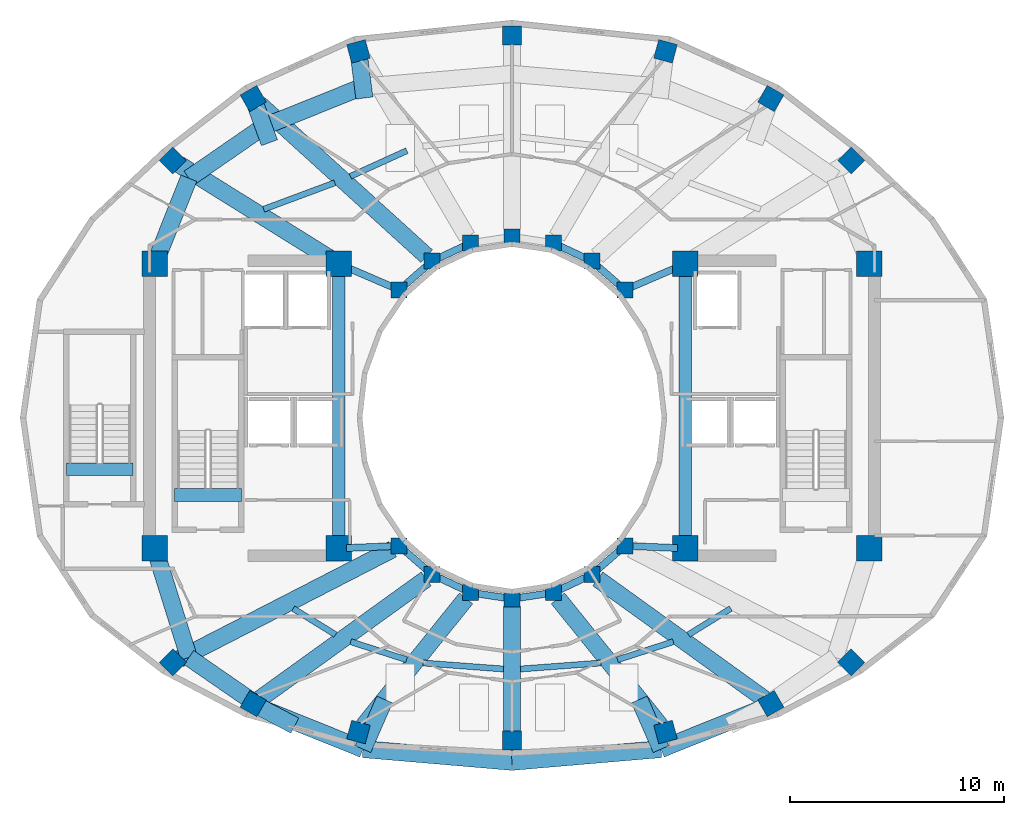
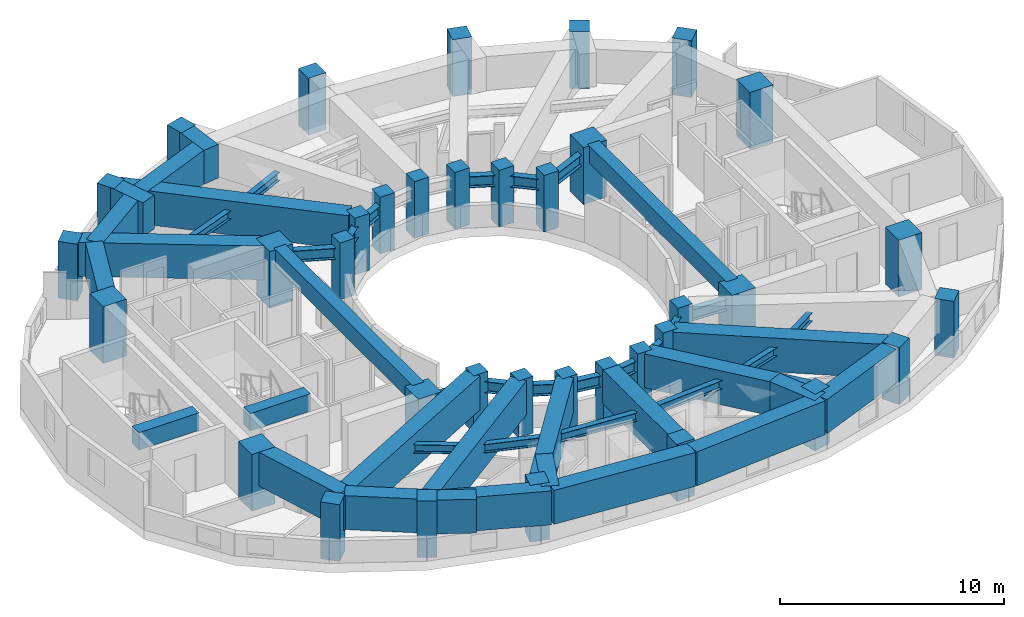
# One storey, part 1 of 9: 48 beams, 36 columns.
"""IFC4 building model written with IfcOpenShell, lengths in metres."""

from ifc_helpers import new_model, si_unit, direction, frame, origin, origin_2d, place, context, subcontext, project, spatial, rectangle, i_section, extrude, material, material_profile, profile_set, type_object, element, save


model = new_model("IFC4")

# Units and contexts
model_context = context("Model", 3, precision=1e-05, world=origin(), true_north=direction((0.0, 1.0)))
body_context = subcontext(model_context, "Body", "Model", "MODEL_VIEW")
ifc_project = project(units=[si_unit("LENGTHUNIT", "METRE"), si_unit("AREAUNIT", "SQUARE_METRE"), si_unit("VOLUMEUNIT", "CUBIC_METRE"), si_unit("PLANEANGLEUNIT", "RADIAN"), si_unit("MASSUNIT", "GRAM", prefix="KILO")], contexts=[model_context])

# Site, building, storey
site_placement = place(None, origin())
site = spatial("IfcSite", under=ifc_project, at=site_placement, CompositionType="ELEMENT")
building_placement = place(site_placement, origin())
building = spatial("IfcBuilding", under=site, at=building_placement, Name="Solvane Sanctuary Tower", CompositionType="ELEMENT")
storey_placement = place(building_placement, frame((0.0, 0.0, 190.10009765625)))
storey = spatial("IfcBuildingStorey", under=building, at=storey_placement, Name="L58", CompositionType="ELEMENT", Elevation=190.10009765625)

# Columns
ifc_material_1 = material(Name="Concrete C50/60", Category="concrete")
ifc_material_profile_1 = material_profile(ifc_material_1, rectangle(XDim=0.75, YDim=0.75, at=origin_2d()), Name="RC750X750")
ifc_profile_set_1 = profile_set([ifc_material_profile_1], Name="Concrete C50/60")
column_type_1 = type_object("IfcColumnType", Name="Column C-RING-Z3 RC750X750", PredefinedType="COLUMN", material=ifc_profile_set_1)
for number, where, z_axis, x_axis, name in (
    (1, (37.27490234375, 28.982177734375, 0.0), (0.0, 0.0, 1.0), (1.0, 0.0, 0.0), "L58 Inner Light-Well Ring Column IC01"),
    (2, (35.72998046875, 30.32666015625, 0.0), (0.0, 0.0, 1.0), (1.0, 0.0, 0.0), "L58 Inner Light-Well Ring Column IC02"),
    (3, (33.930908203125, 31.171630859375, 0.0), (0.0, 0.0, 1.0), (1.0, 0.0, 0.0), "L58 Inner Light-Well Ring Column IC03"),
    (4, (32.0, 31.4599609375, 0.0), (0.0, 0.0, 1.0), (1.0, 0.0, 0.0), "L58 Inner Light-Well Ring Column IC04"),
    (5, (30.069091796875, 31.171630859375, 0.0), (0.0, 0.0, 1.0), (1.0, 0.0, 0.0), "L58 Inner Light-Well Ring Column IC05"),
    (6, (28.27001953125, 30.32666015625, 0.0), (0.0, 0.0, 1.0), (1.0, 0.0, 0.0), "L58 Inner Light-Well Ring Column IC06"),
    (7, (26.72509765625, 28.982177734375, 0.0), (0.0, 0.0, 1.0), (1.0, 0.0, 0.0), "L58 Inner Light-Well Ring Column IC07"),
    (8, (26.72509765625, 17.017822265625, 0.0), (0.0, 0.0, 1.0), (1.0, 0.0, 0.0), "L58 Inner Light-Well Ring Column IC08"),
    (9, (28.27001953125, 15.67333984375, 0.0), (0.0, 0.0, 1.0), (1.0, 0.0, 0.0), "L58 Inner Light-Well Ring Column IC09"),
    (10, (30.069091796875, 14.828369140625, 0.0), (0.0, 0.0, 1.0), (1.0, 0.0, 0.0), "L58 Inner Light-Well Ring Column IC10"),
    (11, (32.0, 14.5400390625, 0.0), (0.0, 0.0, 1.0), (1.0, 0.0, 0.0), "L58 Inner Light-Well Ring Column IC11"),
    (12, (33.930908203125, 14.828369140625, 0.0), (0.0, 0.0, 1.0), (1.0, 0.0, 0.0), "L58 Inner Light-Well Ring Column IC12"),
    (13, (35.72998046875, 15.67333984375, 0.0), (0.0, 0.0, 1.0), (1.0, 0.0, 0.0), "L58 Inner Light-Well Ring Column IC13"),
    (14, (37.27490234375, 17.017822265625, 0.0), (0.0, 0.0, 1.0), (1.0, 0.0, 0.0), "L58 Inner Light-Well Ring Column IC14"),
):
    element("IfcColumn", number, at=place(storey_placement, frame(where, z_axis=z_axis, x_axis=x_axis)), inside=storey, type_object=column_type_1, Name=name, PredefinedType="COLUMN", context=body_context, shape_type="SweptSolid", body=[
        extrude(rectangle(XDim=0.75, YDim=0.75, at=origin_2d()), origin(), (0.0, 0.0, 1.0), 3.099853515625),
    ])
ifc_material_2 = material(Name="Concrete C70/85", Category="concrete")
ifc_material_profile_2 = material_profile(ifc_material_2, rectangle(XDim=1.199951171875, YDim=1.199951171875, at=origin_2d()), Name="RC1200X1200")
ifc_profile_set_2 = profile_set([ifc_material_profile_2], Name="Concrete C70/85")
column_type_2 = type_object("IfcColumnType", Name="Column C-TUBE-Z1 RC1200X1200", PredefinedType="COLUMN", material=ifc_profile_set_2)
for number, where, z_axis, x_axis, name in (
    (15, (15.300048828125, 16.89990234375, 0.0), (0.0, 0.0, 1.0), (1.0, 0.0, 0.0), "L58 Core Corner Column CW1"),
    (16, (23.89990234375, 16.89990234375, 0.0), (0.0, 0.0, 1.0), (1.0, 0.0, 0.0), "L58 Core Corner Column CW2"),
    (17, (23.89990234375, 30.199951171875, 0.0), (0.0, 0.0, 1.0), (1.0, 0.0, 0.0), "L58 Core Corner Column CW3"),
    (18, (15.300048828125, 30.199951171875, 0.0), (0.0, 0.0, 1.0), (1.0, 0.0, 0.0), "L58 Core Corner Column CW4"),
    (19, (40.10009765625, 16.89990234375, 0.0), (0.0, 0.0, 1.0), (1.0, 0.0, 0.0), "L58 Core Corner Column CE1"),
    (20, (48.699951171875, 16.89990234375, 0.0), (0.0, 0.0, 1.0), (1.0, 0.0, 0.0), "L58 Core Corner Column CE2"),
    (21, (48.699951171875, 30.199951171875, 0.0), (0.0, 0.0, 1.0), (1.0, 0.0, 0.0), "L58 Core Corner Column CE3"),
    (22, (40.10009765625, 30.199951171875, 0.0), (0.0, 0.0, 1.0), (1.0, 0.0, 0.0), "L58 Core Corner Column CE4"),
):
    element("IfcColumn", number, at=place(storey_placement, frame(where, z_axis=z_axis, x_axis=x_axis)), inside=storey, type_object=column_type_2, Name=name, PredefinedType="COLUMN", context=body_context, shape_type="SweptSolid", body=[
        extrude(rectangle(XDim=1.199951171875, YDim=1.199951171875, at=origin_2d()), origin(), (0.0, 0.0, 1.0), 3.099853515625),
    ])
ifc_material_3 = material(Name="Concrete C60/75", Category="concrete")
ifc_material_profile_3 = material_profile(ifc_material_3, rectangle(XDim=0.89990234375, YDim=0.89990234375, at=origin_2d()), Name="RC900X900")
ifc_profile_set_3 = profile_set([ifc_material_profile_3], Name="Concrete C60/75")
column_type_3 = type_object("IfcColumnType", Name="Column C-TUBE-Z3 RC900X900", PredefinedType="COLUMN", material=ifc_profile_set_3)
for number, where, z_axis, x_axis, name in (
    (23, (47.856689453125, 35.031005859375, 0.0), (0.0, 0.0, 1.0), (0.707106781187, 0.707106781187, 0.0), "L58 Perimeter Tube Column TC01"),
    (24, (44.09814453125, 37.927978515625, 0.0), (0.0, 0.0, 1.0), (0.5, 0.866025403784, 0.0), "L58 Perimeter Tube Column TC02"),
    (25, (39.17822265625, 40.134521484375, 0.0), (0.0, 0.0, 1.0), (0.258819045103, 0.965925826289, 0.0), "L58 Perimeter Tube Column TC03"),
    (26, (32.0, 40.8798828125, 0.0), (0.0, 0.0, 1.0), (0.0, 1.0, 0.0), "L58 Perimeter Tube Column TC04"),
    (27, (24.82177734375, 40.134521484375, 0.0), (0.0, 0.0, 1.0), (-0.258819045103, 0.965925826289, 0.0), "L58 Perimeter Tube Column TC05"),
    (28, (19.90185546875, 37.927978515625, 0.0), (0.0, 0.0, 1.0), (-0.5, 0.866025403784, 0.0), "L58 Perimeter Tube Column TC06"),
    (29, (16.143310546875, 35.031005859375, 0.0), (0.0, 0.0, 1.0), (-0.707106781187, 0.707106781187, 0.0), "L58 Perimeter Tube Column TC07"),
    (30, (16.143310546875, 11.573486328125, 0.0), (0.0, 0.0, 1.0), (-0.707106781187, -0.707106781187, 0.0), "L58 Perimeter Tube Column TC08"),
    (31, (19.90185546875, 9.640625, 0.0), (0.0, 0.0, 1.0), (-0.5, -0.866025403784, 0.0), "L58 Perimeter Tube Column TC09"),
    (32, (24.82177734375, 8.313232421875, 0.0), (0.0, 0.0, 1.0), (-0.258819045103, -0.965925826289, 0.0), "L58 Perimeter Tube Column TC10"),
    (33, (32.0, 7.919921875, 0.0), (0.0, 0.0, 1.0), (0.0, -1.0, 0.0), "L58 Perimeter Tube Column TC11"),
    (34, (39.17822265625, 8.313232421875, 0.0), (0.0, 0.0, 1.0), (0.258819045103, -0.965925826289, 0.0), "L58 Perimeter Tube Column TC12"),
    (35, (44.09814453125, 9.640625, 0.0), (0.0, 0.0, 1.0), (0.5, -0.866025403784, 0.0), "L58 Perimeter Tube Column TC13"),
    (36, (47.856689453125, 11.573486328125, 0.0), (0.0, 0.0, 1.0), (0.707106781187, -0.707106781187, 0.0), "L58 Perimeter Tube Column TC14"),
):
    element("IfcColumn", number, at=place(storey_placement, frame(where, z_axis=z_axis, x_axis=x_axis)), inside=storey, type_object=column_type_3, Name=name, PredefinedType="COLUMN", context=body_context, shape_type="SweptSolid", body=[
        extrude(rectangle(XDim=0.89990234375, YDim=0.89990234375, at=origin_2d()), origin(), (0.0, 0.0, 1.0), 3.099853515625),
    ])

# Beams
ifc_material_profile_4 = material_profile(ifc_material_2, rectangle(XDim=0.60009765625, YDim=0.949951171875, at=origin_2d()), Name="RC600X950")
ifc_profile_set_4 = profile_set([ifc_material_profile_4], Name="Concrete C70/85")
beam_type_1 = type_object("IfcBeamType", Name="Beam B-COUPLE RC600X950", PredefinedType="LINTEL", material=ifc_profile_set_4)
for number, where, z_axis, x_axis, name in (
    (37, (23.89990234375, 17.35009765625, 2.625), (0.0, 1.0, 0.0), (-1.0, 0.0, 0.0), "L58 West Core Coupling Lintel"),
    (38, (40.10009765625, 17.35009765625, 2.625), (0.0, 1.0, 0.0), (-1.0, 0.0, 0.0), "L58 East Core Coupling Lintel"),
):
    element("IfcBeam", number, at=place(storey_placement, frame(where, z_axis=z_axis, x_axis=x_axis)), inside=storey, type_object=beam_type_1, Name=name, PredefinedType="LINTEL", context=body_context, shape_type="SweptSolid", body=[
        extrude(rectangle(XDim=0.60009765625, YDim=0.949951171875, at=origin_2d()), origin(), (0.0, 0.0, 1.0), 12.39990234375),
    ])
for number, where, z_axis, x_axis, name in (
    (39, (16.22998046875, 19.399169921875, 2.625), (1.0, 0.0, 0.0), (0.0, 1.0, 0.0), "L58 ST-1 Stair Floor Landing Trimmer"),
    (40, (11.169921875, 20.59912109375, 2.625), (1.0, 0.0, 0.0), (0.0, 1.0, 0.0), "L58 ST-3 Stair Floor Landing Trimmer"),
):
    element("IfcBeam", number, at=place(storey_placement, frame(where, z_axis=z_axis, x_axis=x_axis)), inside=storey, type_object=beam_type_1, Name=name, PredefinedType="LINTEL", context=body_context, shape_type="SweptSolid", body=[
        extrude(rectangle(XDim=0.60009765625, YDim=0.949951171875, at=origin_2d()), origin(), (0.0, 0.0, 1.0), 3.1201171875),
    ])
ifc_material_4 = material(Name="Steel ASTM A992 Grade 50", Category="steel")
ifc_material_profile_5 = material_profile(ifc_material_4, i_section(OverallWidth=0.324951171875, OverallDepth=0.615966796875, WebThickness=0.013916015625, FlangeThickness=0.021484375, FilletRadius=0.01611328125, at=origin_2d()), Name="W24X117")
ifc_profile_set_5 = profile_set([ifc_material_profile_5], Name="Steel ASTM A992 Grade 50")
beam_type_2 = type_object("IfcBeamType", Name="Beam B-RING-IN2 W24X117", PredefinedType="BEAM", material=ifc_profile_set_5)
beam_1_placement = place(storey_placement, frame((24.230712890625, 30.0576171875, 2.289794921875), z_axis=(0.918264067649, -0.395968561966, 0.0), x_axis=(0.395968561966, 0.918264067649, 0.0)))
element("IfcBeam", 41, at=beam_1_placement, inside=storey, type_object=beam_type_2, Name="L58 Inner Light-Well Ring Beam CW3-IC07", PredefinedType="BEAM", context=body_context, shape_type="SweptSolid", body=[
    extrude(i_section(OverallWidth=0.324951171875, OverallDepth=0.615966796875, WebThickness=0.013916015625, FlangeThickness=0.021484375, FilletRadius=0.01611328125, at=origin_2d()), origin(), (0.0, 0.0, 1.0), 2.371337890625),
])
beam_2_placement = place(storey_placement, frame((26.9853515625, 29.20849609375, 2.289794921875), z_axis=(0.754311313851, 0.656516901379, 0.0), x_axis=(-0.656516901379, 0.754311313851, 0.0)))
element("IfcBeam", 42, at=beam_2_placement, inside=storey, type_object=beam_type_2, Name="L58 Inner Light-Well Ring Beam IC07-IC06", PredefinedType="BEAM", context=body_context, shape_type="SweptSolid", body=[
    extrude(i_section(OverallWidth=0.324951171875, OverallDepth=0.615966796875, WebThickness=0.013916015625, FlangeThickness=0.021484375, FilletRadius=0.01611328125, at=origin_2d()), origin(), (0.0, 0.0, 1.0), 1.358154296875),
])
for number, where, z_axis, x_axis, name in (
    (43, (28.582275390625, 30.473388671875, 2.289794921875), (0.9051808128, 0.425026700502, 0.0), (-0.425026700502, 0.9051808128, 0.0), "L58 Inner Light-Well Ring Beam IC06-IC05"),
    (44, (34.2431640625, 31.02490234375, 2.289794921875), (0.9051808128, -0.425026700502, 0.0), (0.425026700502, 0.9051808128, 0.0), "L58 Inner Light-Well Ring Beam IC03-IC02"),
):
    element("IfcBeam", number, at=place(storey_placement, frame(where, z_axis=z_axis, x_axis=x_axis)), inside=storey, type_object=beam_type_2, Name=name, PredefinedType="BEAM", context=body_context, shape_type="SweptSolid", body=[
        extrude(i_section(OverallWidth=0.324951171875, OverallDepth=0.615966796875, WebThickness=0.013916015625, FlangeThickness=0.021484375, FilletRadius=0.01611328125, at=origin_2d()), origin(), (0.0, 0.0, 1.0), 1.297607421875),
    ])
beam_3_placement = place(storey_placement, frame((35.990234375, 30.10009765625, 2.289794921875), z_axis=(0.754311313851, -0.656516901379, 0.0), x_axis=(0.656516901379, 0.754311313851, 0.0)))
element("IfcBeam", 45, at=beam_3_placement, inside=storey, type_object=beam_type_2, Name="L58 Inner Light-Well Ring Beam IC02-IC01", PredefinedType="BEAM", context=body_context, shape_type="SweptSolid", body=[
    extrude(i_section(OverallWidth=0.324951171875, OverallDepth=0.615966796875, WebThickness=0.013916015625, FlangeThickness=0.021484375, FilletRadius=0.01611328125, at=origin_2d()), origin(), (0.0, 0.0, 1.0), 1.358154296875),
])
beam_4_placement = place(storey_placement, frame((37.591796875, 29.11865234375, 2.289794921875), z_axis=(0.918264067649, 0.395968561966, 0.0), x_axis=(-0.395968561966, 0.918264067649, 0.0)))
element("IfcBeam", 46, at=beam_4_placement, inside=storey, type_object=beam_type_2, Name="L58 Inner Light-Well Ring Beam IC01-CE4", PredefinedType="BEAM", context=body_context, shape_type="SweptSolid", body=[
    extrude(i_section(OverallWidth=0.324951171875, OverallDepth=0.615966796875, WebThickness=0.013916015625, FlangeThickness=0.021484375, FilletRadius=0.01611328125, at=origin_2d()), origin(), (0.0, 0.0, 1.0), 2.371337890625),
])
beam_5_placement = place(storey_placement, frame((24.259765625, 16.9150390625, 2.289794921875), z_axis=(0.999132674336, 0.041640113759, 0.0), x_axis=(-0.041640113759, 0.999132674336, 0.0)))
element("IfcBeam", 47, at=beam_5_placement, inside=storey, type_object=beam_type_2, Name="L58 Inner Light-Well Ring Beam CW2-IC08", PredefinedType="BEAM", context=body_context, shape_type="SweptSolid", body=[
    extrude(i_section(OverallWidth=0.324951171875, OverallDepth=0.615966796875, WebThickness=0.013916015625, FlangeThickness=0.021484375, FilletRadius=0.01611328125, at=origin_2d()), origin(), (0.0, 0.0, 1.0), 2.12255859375),
])
beam_6_placement = place(storey_placement, frame((26.9853515625, 16.79150390625, 2.289794921875), z_axis=(0.754311313851, -0.656516901379, 0.0), x_axis=(0.656516901379, 0.754311313851, 0.0)))
element("IfcBeam", 48, at=beam_6_placement, inside=storey, type_object=beam_type_2, Name="L58 Inner Light-Well Ring Beam IC08-IC09", PredefinedType="BEAM", context=body_context, shape_type="SweptSolid", body=[
    extrude(i_section(OverallWidth=0.324951171875, OverallDepth=0.615966796875, WebThickness=0.013916015625, FlangeThickness=0.021484375, FilletRadius=0.01611328125, at=origin_2d()), origin(), (0.0, 0.0, 1.0), 1.358154296875),
])
beam_7_placement = place(storey_placement, frame((28.582275390625, 15.526611328125, 2.289794921875), z_axis=(0.9051808128, -0.425026700502, 0.0), x_axis=(0.425026700502, 0.9051808128, 0.0)))
element("IfcBeam", 49, at=beam_7_placement, inside=storey, type_object=beam_type_2, Name="L58 Inner Light-Well Ring Beam IC09-IC10", PredefinedType="BEAM", context=body_context, shape_type="SweptSolid", body=[
    extrude(i_section(OverallWidth=0.324951171875, OverallDepth=0.615966796875, WebThickness=0.013916015625, FlangeThickness=0.021484375, FilletRadius=0.01611328125, at=origin_2d()), origin(), (0.0, 0.0, 1.0), 1.297607421875),
])
for number, where, z_axis, x_axis, name in (
    (50, (30.410400390625, 14.77734375, 2.289794921875), (0.989019905763, -0.147782360259, 0.0), (0.147782360259, 0.989019905763, 0.0), "L58 Inner Light-Well Ring Beam IC10-IC11"),
    (51, (32.34130859375, 14.5908203125, 2.289794921875), (0.989019905763, 0.147782360259, 0.0), (-0.147782360259, 0.989019905763, 0.0), "L58 Inner Light-Well Ring Beam IC11-IC12"),
):
    element("IfcBeam", number, at=place(storey_placement, frame(where, z_axis=z_axis, x_axis=x_axis)), inside=storey, type_object=beam_type_2, Name=name, PredefinedType="BEAM", context=body_context, shape_type="SweptSolid", body=[
        extrude(i_section(OverallWidth=0.324951171875, OverallDepth=0.615966796875, WebThickness=0.013916015625, FlangeThickness=0.021484375, FilletRadius=0.01611328125, at=origin_2d()), origin(), (0.0, 0.0, 1.0), 1.26220703125),
    ])
beam_8_placement = place(storey_placement, frame((34.2431640625, 14.97509765625, 2.289794921875), z_axis=(0.9051808128, 0.425026700502, 0.0), x_axis=(-0.425026700502, 0.9051808128, 0.0)))
element("IfcBeam", 52, at=beam_8_placement, inside=storey, type_object=beam_type_2, Name="L58 Inner Light-Well Ring Beam IC12-IC13", PredefinedType="BEAM", context=body_context, shape_type="SweptSolid", body=[
    extrude(i_section(OverallWidth=0.324951171875, OverallDepth=0.615966796875, WebThickness=0.013916015625, FlangeThickness=0.021484375, FilletRadius=0.01611328125, at=origin_2d()), origin(), (0.0, 0.0, 1.0), 1.297607421875),
])
beam_9_placement = place(storey_placement, frame((35.990234375, 15.89990234375, 2.289794921875), z_axis=(0.754311313851, 0.656516901379, 0.0), x_axis=(-0.656516901379, 0.754311313851, 0.0)))
element("IfcBeam", 53, at=beam_9_placement, inside=storey, type_object=beam_type_2, Name="L58 Inner Light-Well Ring Beam IC13-IC14", PredefinedType="BEAM", context=body_context, shape_type="SweptSolid", body=[
    extrude(i_section(OverallWidth=0.324951171875, OverallDepth=0.615966796875, WebThickness=0.013916015625, FlangeThickness=0.021484375, FilletRadius=0.01611328125, at=origin_2d()), origin(), (0.0, 0.0, 1.0), 1.358154296875),
])
beam_10_placement = place(storey_placement, frame((37.61962890625, 17.00341796875, 2.289794921875), z_axis=(0.999132674336, -0.041640113759, 0.0), x_axis=(0.041640113759, 0.999132674336, 0.0)))
element("IfcBeam", 54, at=beam_10_placement, inside=storey, type_object=beam_type_2, Name="L58 Inner Light-Well Ring Beam IC14-CE1", PredefinedType="BEAM", context=body_context, shape_type="SweptSolid", body=[
    extrude(i_section(OverallWidth=0.324951171875, OverallDepth=0.615966796875, WebThickness=0.013916015625, FlangeThickness=0.021484375, FilletRadius=0.01611328125, at=origin_2d()), origin(), (0.0, 0.0, 1.0), 2.12255859375),
])
ifc_material_profile_6 = material_profile(ifc_material_4, i_section(OverallWidth=0.280029296875, OverallDepth=0.462890625, WebThickness=0.0107421875, FlangeThickness=0.017333984375, FilletRadius=0.013916015625, at=origin_2d()), Name="W18X76")
ifc_profile_set_6 = profile_set([ifc_material_profile_6], Name="Steel ASTM A992 Grade 50")
beam_type_3 = type_object("IfcBeamType", Name="Beam B-SEC-JOIST W18X76", PredefinedType="JOIST", material=ifc_profile_set_6)
beam_11_placement = place(storey_placement, frame((20.391845703125, 32.753173828125, 2.366455078125), z_axis=(0.93726788939, 0.348609959006, 0.0), x_axis=(-0.348609959006, 0.93726788939, 0.0)))
element("IfcBeam", 55, at=beam_11_placement, inside=storey, type_object=beam_type_3, Name="L58 Secondary Circumferential Joist 07-06", PredefinedType="JOIST", context=body_context, shape_type="SweptSolid", body=[
    extrude(i_section(OverallWidth=0.280029296875, OverallDepth=0.462890625, WebThickness=0.0107421875, FlangeThickness=0.017333984375, FilletRadius=0.013916015625, at=origin_2d()), origin(), (0.0, 0.0, 1.0), 3.54638671875),
])
beam_12_placement = place(storey_placement, frame((24.445556640625, 34.29052734375, 2.366455078125), z_axis=(0.910490411703, 0.413530180516, 0.0), x_axis=(-0.413530180516, 0.910490411703, 0.0)))
element("IfcBeam", 56, at=beam_12_placement, inside=storey, type_object=beam_type_3, Name="L58 Secondary Circumferential Joist 06-05", PredefinedType="JOIST", context=body_context, shape_type="SweptSolid", body=[
    extrude(i_section(OverallWidth=0.280029296875, OverallDepth=0.462890625, WebThickness=0.0107421875, FlangeThickness=0.017333984375, FilletRadius=0.013916015625, at=origin_2d()), origin(), (0.0, 0.0, 1.0), 2.89990234375),
])
beam_13_placement = place(storey_placement, frame((21.770263671875, 14.088134765625, 2.366455078125), z_axis=(0.850680720849, -0.525682709603, 0.0), x_axis=(0.525682709603, 0.850680720849, 0.0)))
element("IfcBeam", 57, at=beam_13_placement, inside=storey, type_object=beam_type_3, Name="L58 Secondary Circumferential Joist 08-09", PredefinedType="JOIST", context=body_context, shape_type="SweptSolid", body=[
    extrude(i_section(OverallWidth=0.280029296875, OverallDepth=0.462890625, WebThickness=0.0107421875, FlangeThickness=0.017333984375, FilletRadius=0.013916015625, at=origin_2d()), origin(), (0.0, 0.0, 1.0), 2.3271484375),
])
beam_14_placement = place(storey_placement, frame((24.4619140625, 12.53564453125, 2.366455078125), z_axis=(0.951486713775, -0.307689833291, 0.0), x_axis=(0.307689833291, 0.951486713775, 0.0)))
element("IfcBeam", 58, at=beam_14_placement, inside=storey, type_object=beam_type_3, Name="L58 Secondary Circumferential Joist 09-10", PredefinedType="JOIST", context=body_context, shape_type="SweptSolid", body=[
    extrude(i_section(OverallWidth=0.280029296875, OverallDepth=0.462890625, WebThickness=0.0107421875, FlangeThickness=0.017333984375, FilletRadius=0.013916015625, at=origin_2d()), origin(), (0.0, 0.0, 1.0), 2.74072265625),
])
for number, where, z_axis, x_axis, name in (
    (59, (27.83935546875, 11.541259765625, 2.366455078125), (0.997214593532, -0.074585886379, 0.0), (0.074585886379, 0.997214593532, 0.0), "L58 Secondary Circumferential Joist 10-11"),
    (60, (32.393798828125, 11.259521484375, 2.366455078125), (0.997214593532, 0.074585886379, 0.0), (-0.074585886379, 0.997214593532, 0.0), "L58 Secondary Circumferential Joist 11-12"),
):
    element("IfcBeam", number, at=place(storey_placement, frame(where, z_axis=z_axis, x_axis=x_axis)), inside=storey, type_object=beam_type_3, Name=name, PredefinedType="JOIST", context=body_context, shape_type="SweptSolid", body=[
        extrude(i_section(OverallWidth=0.280029296875, OverallDepth=0.462890625, WebThickness=0.0107421875, FlangeThickness=0.017333984375, FilletRadius=0.013916015625, at=origin_2d()), origin(), (0.0, 0.0, 1.0), 3.77734375),
    ])
beam_15_placement = place(storey_placement, frame((36.930419921875, 11.6923828125, 2.366455078125), z_axis=(0.951495146382, 0.307663755439, 0.0), x_axis=(-0.307663755439, 0.951495146382, 0.0)))
element("IfcBeam", 61, at=beam_15_placement, inside=storey, type_object=beam_type_3, Name="L58 Secondary Circumferential Joist 12-13", PredefinedType="JOIST", context=body_context, shape_type="SweptSolid", body=[
    extrude(i_section(OverallWidth=0.280029296875, OverallDepth=0.462890625, WebThickness=0.0107421875, FlangeThickness=0.017333984375, FilletRadius=0.013916015625, at=origin_2d()), origin(), (0.0, 0.0, 1.0), 2.740966796875),
])
beam_16_placement = place(storey_placement, frame((40.25, 12.86474609375, 2.366455078125), z_axis=(0.850680720849, 0.525682709603, 0.0), x_axis=(-0.525682709603, 0.850680720849, 0.0)))
element("IfcBeam", 62, at=beam_16_placement, inside=storey, type_object=beam_type_3, Name="L58 Secondary Circumferential Joist 13-14", PredefinedType="JOIST", context=body_context, shape_type="SweptSolid", body=[
    extrude(i_section(OverallWidth=0.280029296875, OverallDepth=0.462890625, WebThickness=0.0107421875, FlangeThickness=0.017333984375, FilletRadius=0.013916015625, at=origin_2d()), origin(), (0.0, 0.0, 1.0), 2.3271484375),
])
ifc_material_profile_7 = material_profile(ifc_material_2, rectangle(XDim=0.800048828125, YDim=1.85009765625, at=origin_2d()), Name="RC800X1850")
ifc_profile_set_7 = profile_set([ifc_material_profile_7], Name="Concrete C70/85")
beam_type_4 = type_object("IfcBeamType", Name="Beam B-XFER-BLK RC800X1850", PredefinedType="BEAM", material=ifc_profile_set_7)
beam_17_placement = place(storey_placement, frame((24.827880859375, 40.0849609375, 2.1748046875), z_axis=(0.12695519745, -0.991908452349, 0.0), x_axis=(0.991908452349, 0.12695519745, 0.0)))
element("IfcBeam", 63, at=beam_17_placement, inside=storey, type_object=beam_type_4, Name="L58 Block-Shift Transfer Tie 05B", PredefinedType="BEAM", context=body_context, shape_type="SweptSolid", body=[
    extrude(rectangle(XDim=0.800048828125, YDim=1.85009765625, at=origin_2d()), origin(), (0.0, 0.0, 1.0), 2.14990234375),
])
beam_18_placement = place(storey_placement, frame((28.0146484375, 30.55859375, 2.1748046875), z_axis=(-0.740204975918, 0.672381285898, 0.0), x_axis=(-0.672381285898, -0.740204975918, 0.0)))
element("IfcBeam", 64, at=beam_18_placement, inside=storey, type_object=beam_type_4, Name="L58 Block-Shift Radial Transfer Girder 06A", PredefinedType="BEAM", context=body_context, shape_type="SweptSolid", body=[
    extrude(rectangle(XDim=0.800048828125, YDim=1.85009765625, at=origin_2d()), origin(), (0.0, 0.0, 1.0), 10.590087890625),
])
beam_19_placement = place(storey_placement, frame((19.919189453125, 37.881103515625, 2.1748046875), z_axis=(0.345779030894, -0.938315971192, 0.0), x_axis=(0.938315971192, 0.345779030894, 0.0)))
element("IfcBeam", 65, at=beam_19_placement, inside=storey, type_object=beam_type_4, Name="L58 Block-Shift Transfer Tie 06B", PredefinedType="BEAM", context=body_context, shape_type="SweptSolid", body=[
    extrude(rectangle(XDim=0.800048828125, YDim=1.85009765625, at=origin_2d()), origin(), (0.0, 0.0, 1.0), 2.14990234375),
])
beam_20_placement = place(storey_placement, frame((23.594482421875, 30.390380859375, 2.1748046875), z_axis=(-0.848822035813, 0.528678684569, 0.0), x_axis=(-0.528678684569, -0.848822035813, 0.0)))
element("IfcBeam", 66, at=beam_20_placement, inside=storey, type_object=beam_type_4, Name="L58 Block-Shift Radial Transfer Girder 07A", PredefinedType="BEAM", context=body_context, shape_type="SweptSolid", body=[
    extrude(rectangle(XDim=0.800048828125, YDim=1.85009765625, at=origin_2d()), origin(), (0.0, 0.0, 1.0), 8.447998046875),
])
beam_21_placement = place(storey_placement, frame((26.418212890625, 16.860107421875, 2.1748046875), z_axis=(-0.889208681865, -0.457501825238, 0.0), x_axis=(0.457501825238, -0.889208681865, 0.0)))
element("IfcBeam", 67, at=beam_21_placement, inside=storey, type_object=beam_type_4, Name="L58 Block-Shift Radial Transfer Girder 08A", PredefinedType="BEAM", context=body_context, shape_type="SweptSolid", body=[
    extrude(rectangle(XDim=0.800048828125, YDim=1.85009765625, at=origin_2d()), origin(), (0.0, 0.0, 1.0), 11.22509765625),
])
beam_22_placement = place(storey_placement, frame((27.989990234375, 15.4716796875, 2.1748046875), z_axis=(-0.811184514133, -0.584790290643, 0.0), x_axis=(0.584790290643, -0.811184514133, 0.0)))
element("IfcBeam", 68, at=beam_22_placement, inside=storey, type_object=beam_type_4, Name="L58 Block-Shift Radial Transfer Girder 09A", PredefinedType="BEAM", context=body_context, shape_type="SweptSolid", body=[
    extrude(rectangle(XDim=0.800048828125, YDim=1.85009765625, at=origin_2d()), origin(), (0.0, 0.0, 1.0), 9.600830078125),
])
beam_23_placement = place(storey_placement, frame((19.946044921875, 9.6171875, 2.1748046875), z_axis=(0.884044668488, -0.467402422029, 0.0), x_axis=(0.467402422029, 0.884044668488, 0.0)))
element("IfcBeam", 69, at=beam_23_placement, inside=storey, type_object=beam_type_4, Name="L58 Block-Shift Transfer Tie 09B", PredefinedType="BEAM", context=body_context, shape_type="SweptSolid", body=[
    extrude(rectangle(XDim=0.800048828125, YDim=1.85009765625, at=origin_2d()), origin(), (0.0, 0.0, 1.0), 2.14990234375),
])
beam_24_placement = place(storey_placement, frame((29.852783203125, 14.5595703125, 2.1748046875), z_axis=(-0.627295131383, -0.778781624169, 0.0), x_axis=(0.778781624169, -0.627295131383, 0.0)))
element("IfcBeam", 70, at=beam_24_placement, inside=storey, type_object=beam_type_4, Name="L58 Block-Shift Radial Transfer Girder 10A", PredefinedType="BEAM", context=body_context, shape_type="SweptSolid", body=[
    extrude(rectangle(XDim=0.800048828125, YDim=1.85009765625, at=origin_2d()), origin(), (0.0, 0.0, 1.0), 7.650390625),
])
beam_25_placement = place(storey_placement, frame((26.044921875, 9.831787109375, 2.1748046875), z_axis=(-0.400307200881, -0.916381004235, 0.0), x_axis=(0.916381004235, -0.400307200881, 0.0)))
element("IfcBeam", 71, at=beam_25_placement, inside=storey, type_object=beam_type_4, Name="L58 Block-Shift Transfer Tie 10B", PredefinedType="BEAM", context=body_context, shape_type="SweptSolid", body=[
    extrude(rectangle(XDim=0.800048828125, YDim=1.85009765625, at=origin_2d()), origin(), (0.0, 0.0, 1.0), 2.528564453125),
])
beam_26_placement = place(storey_placement, frame((32.0, 14.195068359375, 2.1748046875), z_axis=(0.0, -1.0, 0.0), x_axis=(1.0, 0.0, 0.0)))
element("IfcBeam", 72, at=beam_26_placement, inside=storey, type_object=beam_type_4, Name="L58 Block-Shift Radial Transfer Girder 11A", PredefinedType="BEAM", context=body_context, shape_type="SweptSolid", body=[
    extrude(rectangle(XDim=0.800048828125, YDim=1.85009765625, at=origin_2d()), origin(), (0.0, 0.0, 1.0), 7.275146484375),
])
beam_27_placement = place(storey_placement, frame((34.147216796875, 14.5595703125, 2.1748046875), z_axis=(0.627295131383, -0.778781624169, 0.0), x_axis=(0.778781624169, 0.627295131383, 0.0)))
element("IfcBeam", 73, at=beam_27_placement, inside=storey, type_object=beam_type_4, Name="L58 Block-Shift Radial Transfer Girder 12A", PredefinedType="BEAM", context=body_context, shape_type="SweptSolid", body=[
    extrude(rectangle(XDim=0.800048828125, YDim=1.85009765625, at=origin_2d()), origin(), (0.0, 0.0, 1.0), 7.650390625),
])
beam_28_placement = place(storey_placement, frame((37.955078125, 9.831787109375, 2.1748046875), z_axis=(0.400307200881, -0.916381004235, 0.0), x_axis=(0.916381004235, 0.400307200881, 0.0)))
element("IfcBeam", 74, at=beam_28_placement, inside=storey, type_object=beam_type_4, Name="L58 Block-Shift Transfer Tie 12B", PredefinedType="BEAM", context=body_context, shape_type="SweptSolid", body=[
    extrude(rectangle(XDim=0.800048828125, YDim=1.85009765625, at=origin_2d()), origin(), (0.0, 0.0, 1.0), 2.528564453125),
])
beam_29_placement = place(storey_placement, frame((36.010009765625, 15.4716796875, 2.1748046875), z_axis=(0.811184514133, -0.584790290643, 0.0), x_axis=(0.584790290643, 0.811184514133, 0.0)))
element("IfcBeam", 75, at=beam_29_placement, inside=storey, type_object=beam_type_4, Name="L58 Block-Shift Radial Transfer Girder 13A", PredefinedType="BEAM", context=body_context, shape_type="SweptSolid", body=[
    extrude(rectangle(XDim=0.800048828125, YDim=1.85009765625, at=origin_2d()), origin(), (0.0, 0.0, 1.0), 9.600830078125),
])
beam_30_placement = place(storey_placement, frame((15.433349609375, 30.534423828125, 2.1748046875), z_axis=(0.370175285005, 0.928961925146, 0.0), x_axis=(-0.928961925146, 0.370175285005, 0.0)))
element("IfcBeam", 76, at=beam_30_placement, inside=storey, type_object=beam_type_4, Name="L58 Perimeter Step Transfer Ring CW4-NTC07", PredefinedType="BEAM", context=body_context, shape_type="SweptSolid", body=[
    extrude(rectangle(XDim=0.800048828125, YDim=1.85009765625, at=origin_2d()), origin(), (0.0, 0.0, 1.0), 3.94921875),
])
beam_31_placement = place(storey_placement, frame((16.895263671875, 34.203125, 2.1748046875), z_axis=(0.822701468639, 0.568473652423, 0.0), x_axis=(-0.568473652423, 0.822701468639, 0.0)))
element("IfcBeam", 77, at=beam_31_placement, inside=storey, type_object=beam_type_4, Name="L58 Perimeter Step Transfer Ring NTC07-NTC06", PredefinedType="BEAM", context=body_context, shape_type="SweptSolid", body=[
    extrude(rectangle(XDim=0.800048828125, YDim=1.85009765625, at=origin_2d()), origin(), (0.0, 0.0, 1.0), 4.24267578125),
])
beam_32_placement = place(storey_placement, frame((20.3857421875, 36.614990234375, 2.1748046875), z_axis=(0.927677941797, 0.373381355055, 0.0), x_axis=(-0.373381355055, 0.927677941797, 0.0)))
element("IfcBeam", 78, at=beam_32_placement, inside=storey, type_object=beam_type_4, Name="L58 Perimeter Step Transfer Ring NTC06-NTC05", PredefinedType="BEAM", context=body_context, shape_type="SweptSolid", body=[
    extrude(rectangle(XDim=0.800048828125, YDim=1.85009765625, at=origin_2d()), origin(), (0.0, 0.0, 1.0), 5.00927734375),
])
beam_33_placement = place(storey_placement, frame((15.407470703125, 16.556396484375, 2.1748046875), z_axis=(0.298355835313, -0.954454711097, 0.0), x_axis=(0.954454711097, 0.298355835313, 0.0)))
element("IfcBeam", 79, at=beam_33_placement, inside=storey, type_object=beam_type_4, Name="L58 Perimeter Step Transfer Ring CW1-NTC08", PredefinedType="BEAM", context=body_context, shape_type="SweptSolid", body=[
    extrude(rectangle(XDim=0.800048828125, YDim=1.85009765625, at=origin_2d()), origin(), (0.0, 0.0, 1.0), 4.986572265625),
])
beam_34_placement = place(storey_placement, frame((16.895263671875, 11.796875, 2.1748046875), z_axis=(0.822701468639, -0.568473652423, 0.0), x_axis=(0.568473652423, 0.822701468639, 0.0)))
element("IfcBeam", 80, at=beam_34_placement, inside=storey, type_object=beam_type_4, Name="L58 Perimeter Step Transfer Ring NTC08-NTC09", PredefinedType="BEAM", context=body_context, shape_type="SweptSolid", body=[
    extrude(rectangle(XDim=0.800048828125, YDim=1.85009765625, at=origin_2d()), origin(), (0.0, 0.0, 1.0), 4.24267578125),
])
beam_35_placement = place(storey_placement, frame((20.3857421875, 9.385009765625, 2.1748046875), z_axis=(0.927677941797, -0.373381355055, 0.0), x_axis=(0.373381355055, 0.927677941797, 0.0)))
element("IfcBeam", 81, at=beam_35_placement, inside=storey, type_object=beam_type_4, Name="L58 Perimeter Step Transfer Ring NTC09-NTC10", PredefinedType="BEAM", context=body_context, shape_type="SweptSolid", body=[
    extrude(rectangle(XDim=0.800048828125, YDim=1.85009765625, at=origin_2d()), origin(), (0.0, 0.0, 1.0), 5.00927734375),
])
for number, where, z_axis, x_axis, name in (
    (82, (25.03271484375, 7.5146484375, 2.1748046875), (0.996376634942, -0.085050581075, 0.0), (0.085050581075, 0.996376634942, 0.0), "L58 Perimeter Step Transfer Ring NTC10-NTC11"),
    (83, (32.0, 6.919921875, 2.1748046875), (0.996376634942, 0.085050581075, 0.0), (-0.085050581075, 0.996376634942, 0.0), "L58 Perimeter Step Transfer Ring NTC11-NTC12"),
):
    element("IfcBeam", number, at=place(storey_placement, frame(where, z_axis=z_axis, x_axis=x_axis)), inside=storey, type_object=beam_type_4, Name=name, PredefinedType="BEAM", context=body_context, shape_type="SweptSolid", body=[
        extrude(rectangle(XDim=0.800048828125, YDim=1.85009765625, at=origin_2d()), origin(), (0.0, 0.0, 1.0), 6.99267578125),
    ])
beam_36_placement = place(storey_placement, frame((38.96728515625, 7.5146484375, 2.1748046875), z_axis=(0.927677941797, 0.373381355055, 0.0), x_axis=(-0.373381355055, 0.927677941797, 0.0)))
element("IfcBeam", 84, at=beam_36_placement, inside=storey, type_object=beam_type_4, Name="L58 Perimeter Step Transfer Ring NTC12-NTC13", PredefinedType="BEAM", context=body_context, shape_type="SweptSolid", body=[
    extrude(rectangle(XDim=0.800048828125, YDim=1.85009765625, at=origin_2d()), origin(), (0.0, 0.0, 1.0), 5.00927734375),
])

save(model, "model.ifc")
